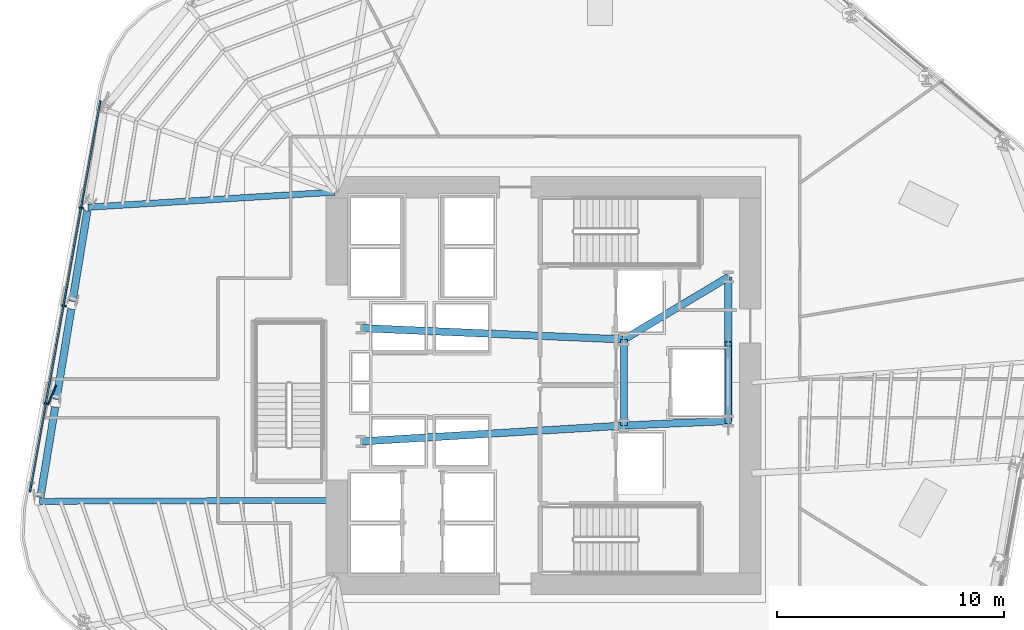
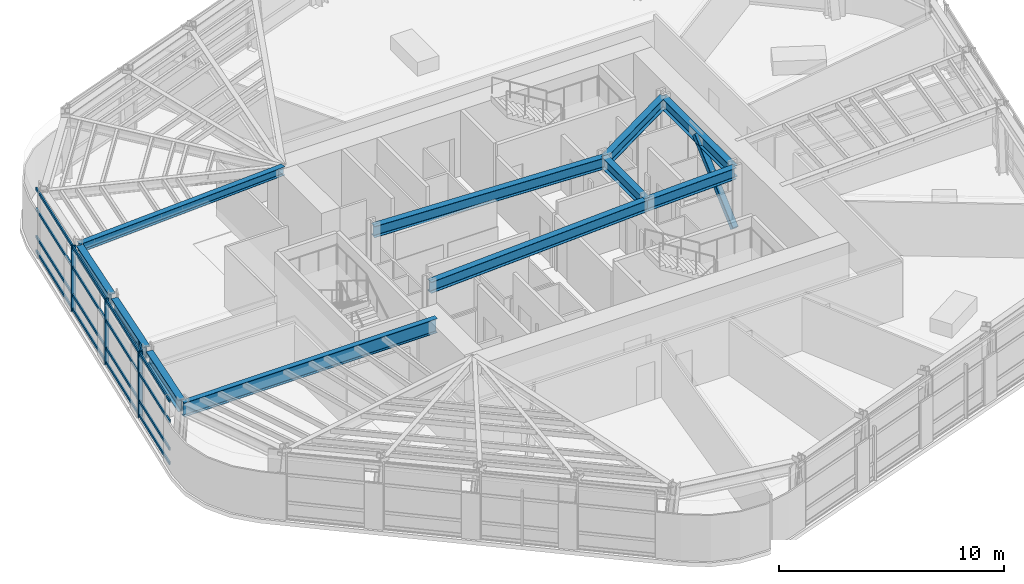
# One storey, part 4 of 18: 11 beams, 9 members, 1 element without a shape of its own.
"""IFC4 building model written with IfcOpenShell, lengths in metres."""

from ifc_helpers import new_model, si_unit, direction, frame, origin, origin_2d, place, context, subcontext, project, spatial, rectangle, hollow_rectangle, i_section, extrude, material, layer, layer_set, material_profile, profile_set, type_object, element, aggregate, save


model = new_model("IFC4")

# Units and contexts
model_context = context("Model", 3, precision=1e-05, world=origin(), true_north=direction((0.0, 1.0)))
body_context = subcontext(model_context, "Body", "Model", "MODEL_VIEW")
ifc_project = project(units=[si_unit("LENGTHUNIT", "METRE"), si_unit("AREAUNIT", "SQUARE_METRE"), si_unit("VOLUMEUNIT", "CUBIC_METRE"), si_unit("PLANEANGLEUNIT", "RADIAN"), si_unit("MASSUNIT", "GRAM", prefix="KILO")], contexts=[model_context])

# Site, building, storey
site_placement = place(None, origin())
site = spatial("IfcSite", under=ifc_project, at=site_placement, CompositionType="ELEMENT")
building_placement = place(site_placement, origin())
building = spatial("IfcBuilding", under=site, at=building_placement, Name="Valkerne Bourse Tower", CompositionType="ELEMENT")
storey_placement = place(building_placement, frame((0.0, 0.0, 108.60009765625)))
storey = spatial("IfcBuildingStorey", under=building, at=storey_placement, Name="L27", CompositionType="ELEMENT", Elevation=108.60009765625)

# Beams
ifc_material_1 = material(Name="Steel ASTM A992", Category="steel")
ifc_material_profile_1 = material_profile(ifc_material_1, i_section(OverallWidth=0.279296875, OverallDepth=0.46240234375, WebThickness=0.0107421875, FlangeThickness=0.017333984375, FilletRadius=0.017822265625, at=origin_2d()), Name="W18X76")
ifc_profile_set_1 = profile_set([ifc_material_profile_1], Name="Steel ASTM A992")
beam_type_1 = type_object("IfcBeamType", Name="BM-W18X76", PredefinedType="BEAM", material=ifc_profile_set_1)
beam_1_placement = place(storey_placement, frame((26.69775390625, 34.733154296875, 3.348876953125), z_axis=(0.998135176989, 0.061042349703, 0.0), x_axis=(-0.061042349703, 0.998135176989, 0.0)))
element("IfcBeam", 1, at=beam_1_placement, inside=storey, type_object=beam_type_1, Name="L27 Radial Composite Floor Beam 11", PredefinedType="BEAM", context=body_context, shape_type="SweptSolid", body=[
    extrude(i_section(OverallWidth=0.279296875, OverallDepth=0.46240234375, WebThickness=0.0107421875, FlangeThickness=0.017333984375, FilletRadius=0.017822265625, at=origin_2d()), origin(), (0.0, 0.0, 1.0), 10.922607421875),
])
ifc_material_profile_2 = material_profile(ifc_material_1, i_section(OverallWidth=0.3251953125, OverallDepth=0.612060546875, WebThickness=0.0126953125, FlangeThickness=0.01904296875, FilletRadius=0.020263671875, at=origin_2d()), Name="W24X104")
ifc_profile_set_2 = profile_set([ifc_material_profile_2], Name="Steel ASTM A992")
beam_type_2 = type_object("IfcBeamType", Name="BM-W24X104", PredefinedType="BEAM", material=ifc_profile_set_2)
beam_2_placement = place(storey_placement, frame((50.35009765625, 25.10009765625, 3.27392578125), z_axis=(0.0, 1.0, 0.0), x_axis=(-1.0, 0.0, 0.0)))
element("IfcBeam", 2, at=beam_2_placement, inside=storey, type_object=beam_type_2, Name="L27 Core Frame Girder CG-CE", PredefinedType="BEAM", context=body_context, shape_type="SweptSolid", body=[
    extrude(i_section(OverallWidth=0.3251953125, OverallDepth=0.612060546875, WebThickness=0.0126953125, FlangeThickness=0.01904296875, FilletRadius=0.020263671875, at=origin_2d()), origin(), (0.0, 0.0, 1.0), 3.7998046875),
])
beam_3_placement = place(storey_placement, frame((50.35009765625, 25.10009765625, 3.27392578125), z_axis=(0.999056558506, 0.043428019819, 0.0), x_axis=(-0.043428019819, 0.999056558506, 0.0)))
element("IfcBeam", 3, at=beam_3_placement, inside=storey, type_object=beam_type_2, Name="L27 Core Frame Girder CG-SE", PredefinedType="BEAM", context=body_context, shape_type="SweptSolid", body=[
    extrude(i_section(OverallWidth=0.3251953125, OverallDepth=0.612060546875, WebThickness=0.0126953125, FlangeThickness=0.01904296875, FilletRadius=0.020263671875, at=origin_2d()), origin(), (0.0, 0.0, 1.0), 4.604248046875),
])
beam_4_placement = place(storey_placement, frame((50.35009765625, 28.89990234375, 3.27392578125), z_axis=(0.858307823492, 0.513135148019, 0.0), x_axis=(-0.513135148019, 0.858307823492, 0.0)))
element("IfcBeam", 4, at=beam_4_placement, inside=storey, type_object=beam_type_2, Name="L27 Core Frame Girder CG-NE", PredefinedType="BEAM", context=body_context, shape_type="SweptSolid", body=[
    extrude(i_section(OverallWidth=0.3251953125, OverallDepth=0.612060546875, WebThickness=0.0126953125, FlangeThickness=0.01904296875, FilletRadius=0.020263671875, at=origin_2d()), origin(), (0.0, 0.0, 1.0), 5.359130859375),
])
beam_5_placement = place(storey_placement, frame((54.949951171875, 25.300048828125, 3.27392578125), z_axis=(0.0, 1.0, 0.0), x_axis=(-1.0, 0.0, 0.0)))
element("IfcBeam", 5, at=beam_5_placement, inside=storey, type_object=beam_type_2, Name="L27 Core Frame Girder CG-EE", PredefinedType="BEAM", context=body_context, shape_type="SweptSolid", body=[
    extrude(i_section(OverallWidth=0.3251953125, OverallDepth=0.612060546875, WebThickness=0.0126953125, FlangeThickness=0.01904296875, FilletRadius=0.020263671875, at=origin_2d()), origin(), (0.0, 0.0, 1.0), 6.349853515625),
])
beam_6_placement = place(storey_placement, frame((38.75, 24.39990234375, 3.27392578125), z_axis=(0.998183228389, 0.060251494276, 0.0), x_axis=(-0.060251494276, 0.998183228389, 0.0)))
element("IfcBeam", 6, at=beam_6_placement, inside=storey, type_object=beam_type_2, Name="L27 Core Frame Girder CG-SW", PredefinedType="BEAM", context=body_context, shape_type="SweptSolid", body=[
    extrude(i_section(OverallWidth=0.3251953125, OverallDepth=0.612060546875, WebThickness=0.0126953125, FlangeThickness=0.01904296875, FilletRadius=0.020263671875, at=origin_2d()), origin(), (0.0, 0.0, 1.0), 11.62109375),
])
beam_7_placement = place(storey_placement, frame((38.75, 29.39990234375, 3.27392578125), z_axis=(0.999072354402, -0.043063101019, 0.0), x_axis=(0.043063101019, 0.999072354402, 0.0)))
element("IfcBeam", 7, at=beam_7_placement, inside=storey, type_object=beam_type_2, Name="L27 Core Frame Girder CG-NW", PredefinedType="BEAM", context=body_context, shape_type="SweptSolid", body=[
    extrude(i_section(OverallWidth=0.3251953125, OverallDepth=0.612060546875, WebThickness=0.0126953125, FlangeThickness=0.01904296875, FilletRadius=0.020263671875, at=origin_2d()), origin(), (0.0, 0.0, 1.0), 11.61083984375),
])
ifc_material_profile_3 = material_profile(ifc_material_1, i_section(OverallWidth=0.330078125, OverallDepth=0.647705078125, WebThickness=0.0205078125, FlangeThickness=0.037109375, FilletRadius=0.020263671875, at=origin_2d()), Name="W24X192")
ifc_profile_set_3 = profile_set([ifc_material_profile_3], Name="Steel ASTM A992")
beam_type_3 = type_object("IfcBeamType", Name="BM-W24X192", PredefinedType="SPANDREL", material=ifc_profile_set_3)
for number, where, z_axis, x_axis, name in (
    (8, (26.67041015625, 34.5654296875, 3.256103515625), (-0.161597638379, -0.986856728847, 0.0), (0.986856728847, -0.161597638379, 0.0), "L27 Hexagonal Spandrel Ring Beam 11"),
    (9, (25.9619140625, 30.239990234375, 3.256103515625), (-0.161597638379, -0.986856728847, 0.0), (0.986856728847, -0.161597638379, 0.0), "L27 Hexagonal Spandrel Ring Beam 12"),
):
    element("IfcBeam", number, at=place(storey_placement, frame(where, z_axis=z_axis, x_axis=x_axis)), inside=storey, type_object=beam_type_3, Name=name, PredefinedType="SPANDREL", context=body_context, shape_type="SweptSolid", body=[
        extrude(i_section(OverallWidth=0.330078125, OverallDepth=0.647705078125, WebThickness=0.0205078125, FlangeThickness=0.037109375, FilletRadius=0.020263671875, at=origin_2d()), origin(), (0.0, 0.0, 1.0), 4.04296875),
    ])
beam_8_placement = place(storey_placement, frame((25.253662109375, 25.914794921875, 3.256103515625), z_axis=(-0.161588008685, -0.986858305659, 0.0), x_axis=(0.986858305659, -0.161588008685, 0.0)))
element("IfcBeam", 10, at=beam_8_placement, inside=storey, type_object=beam_type_3, Name="L27 Hexagonal Spandrel Ring Beam 13", PredefinedType="SPANDREL", context=body_context, shape_type="SweptSolid", body=[
    extrude(i_section(OverallWidth=0.330078125, OverallDepth=0.647705078125, WebThickness=0.0205078125, FlangeThickness=0.037109375, FilletRadius=0.020263671875, at=origin_2d()), origin(), (0.0, 0.0, 1.0), 4.043212890625),
])
ifc_material_profile_4 = material_profile(ifc_material_1, i_section(OverallWidth=0.26806640625, OverallDepth=0.76953125, WebThickness=0.015625, FlangeThickness=0.025390625, FilletRadius=0.025390625, at=origin_2d()), Name="W30X132")
ifc_profile_set_4 = profile_set([ifc_material_profile_4], Name="Steel ASTM A992")
beam_type_4 = type_object("IfcBeamType", Name="BM-W30X132", PredefinedType="BEAM", material=ifc_profile_set_4)
beam_9_placement = place(storey_placement, frame((24.57275390625, 21.757080078125, 3.195068359375), z_axis=(0.999994560485, 0.003298332883, 0.0), x_axis=(-0.003298332883, 0.999994560485, 0.0)))
element("IfcBeam", 11, at=beam_9_placement, inside=storey, type_object=beam_type_4, Name="L27 Radial Composite Floor Beam 14", PredefinedType="BEAM", context=body_context, shape_type="SweptSolid", body=[
    extrude(i_section(OverallWidth=0.26806640625, OverallDepth=0.76953125, WebThickness=0.015625, FlangeThickness=0.025390625, FilletRadius=0.025390625, at=origin_2d()), origin(), (0.0, 0.0, 1.0), 13.02734375),
])

# Curtain wall, members
ifc_material_2 = material(Name="Aluminium AA 6063-T6", Category="aluminium")
ifc_layer = layer(ifc_material_2, 0.22998046875)
ifc_layer_set = layer_set([ifc_layer], Name="Aluminium AA 6063-T6")
curtain_wall_type = type_object("IfcCurtainWallType", Name="CW-02", PredefinedType="NOTDEFINED", material=ifc_layer_set)
curtain_wall_placement = place(storey_placement, origin())
curtain_wall = element("IfcCurtainWall", 12, at=curtain_wall_placement, inside=storey, type_object=curtain_wall_type, Name="L27 Hexagonal Stick Curtain Wall Face 3", PredefinedType="NOTDEFINED")
ifc_material_profile_5 = material_profile(ifc_material_2, rectangle(XDim=0.074951171875, YDim=0.199951171875, at=origin_2d()), Name="CWM-75X200")
ifc_profile_set_5 = profile_set([ifc_material_profile_5], Name="Aluminium AA 6063-T6")
member_type_1 = type_object("IfcMemberType", Name="CW-MUL-220X75", PredefinedType="MULLION", material=ifc_profile_set_5)
member_1_placement = place(storey_placement, frame((26.41259765625, 34.69482421875, 0.0), z_axis=(0.0, 0.0, 1.0), x_axis=(-0.177072113159, -0.98419787987, 0.0)))
member_1 = element("IfcMember", 13, at=member_1_placement, type_object=member_type_1, Name="CW-L27-F3 Jamb Mullion 01A", PredefinedType="MULLION", context=body_context, shape_type="SweptSolid", body=[
    extrude(rectangle(XDim=0.074951171875, YDim=0.199951171875, at=origin_2d()), origin(), (0.0, 0.0, 1.0), 3.579833984375),
])
member_2_placement = place(storey_placement, frame((25.63671875, 30.381103515625, 0.0), z_axis=(0.0, 0.0, 1.0), x_axis=(-0.177094213282, -0.984193903467, 0.0)))
member_2 = element("IfcMember", 14, at=member_2_placement, type_object=member_type_1, Name="CW-L27-F3 Jamb Mullion 02A", PredefinedType="MULLION", context=body_context, shape_type="SweptSolid", body=[
    extrude(rectangle(XDim=0.074951171875, YDim=0.199951171875, at=origin_2d()), origin(), (0.0, 0.0, 1.0), 3.579833984375),
])
member_3_placement = place(storey_placement, frame((24.8603515625, 26.0673828125, 0.0), z_axis=(0.0, 0.0, 1.0), x_axis=(-0.177094213282, -0.984193903467, 0.0)))
member_3 = element("IfcMember", 15, at=member_3_placement, type_object=member_type_1, Name="CW-L27-F3 Jamb Mullion 03A", PredefinedType="MULLION", context=body_context, shape_type="SweptSolid", body=[
    extrude(rectangle(XDim=0.074951171875, YDim=0.199951171875, at=origin_2d()), origin(), (0.0, 0.0, 1.0), 3.579833984375),
])
ifc_material_profile_6 = material_profile(ifc_material_2, rectangle(XDim=0.074951171875, YDim=0.14990234375, at=origin_2d()), Name="CWT-75X150")
ifc_profile_set_6 = profile_set([ifc_material_profile_6], Name="Aluminium AA 6063-T6")
member_type_2 = type_object("IfcMemberType", Name="CW-TRN-180X65", PredefinedType="USERDEFINED", material=ifc_profile_set_6)
member_4_placement = place(storey_placement, frame((27.24365234375, 39.425537109375, 0.119873046875), z_axis=(-0.177089872149, -0.984194684594, 0.0), x_axis=(0.984194684594, -0.177089872149, 0.0)))
member_4 = element("IfcMember", 16, at=member_4_placement, type_object=member_type_2, Name="CW-L27-F3 Continuous Face Transom 1", ObjectType="TRANSOM", PredefinedType="USERDEFINED", context=body_context, shape_type="SweptSolid", body=[
    extrude(rectangle(XDim=0.074951171875, YDim=0.14990234375, at=origin_2d()), origin(), (0.0, 0.0, 1.0), 17.531982421875),
])
member_5_placement = place(storey_placement, frame((27.24365234375, 39.425537109375, 0.89990234375), z_axis=(-0.177089872149, -0.984194684594, 0.0), x_axis=(0.984194684594, -0.177089872149, 0.0)))
member_5 = element("IfcMember", 17, at=member_5_placement, type_object=member_type_2, Name="CW-L27-F3 Continuous Face Transom 2", ObjectType="TRANSOM", PredefinedType="USERDEFINED", context=body_context, shape_type="SweptSolid", body=[
    extrude(rectangle(XDim=0.074951171875, YDim=0.14990234375, at=origin_2d()), origin(), (0.0, 0.0, 1.0), 17.531982421875),
])
member_6_placement = place(storey_placement, frame((27.24365234375, 39.425537109375, 2.39990234375), z_axis=(-0.177089872149, -0.984194684594, 0.0), x_axis=(0.984194684594, -0.177089872149, 0.0)))
member_6 = element("IfcMember", 18, at=member_6_placement, type_object=member_type_2, Name="CW-L27-F3 Continuous Face Transom 3", ObjectType="TRANSOM", PredefinedType="USERDEFINED", context=body_context, shape_type="SweptSolid", body=[
    extrude(rectangle(XDim=0.074951171875, YDim=0.14990234375, at=origin_2d()), origin(), (0.0, 0.0, 1.0), 17.531982421875),
])
member_7_placement = place(storey_placement, frame((27.24365234375, 39.425537109375, 3.5), z_axis=(-0.177089872149, -0.984194684594, 0.0), x_axis=(0.984194684594, -0.177089872149, 0.0)))
member_7 = element("IfcMember", 19, at=member_7_placement, type_object=member_type_2, Name="CW-L27-F3 Continuous Face Transom 4", ObjectType="TRANSOM", PredefinedType="USERDEFINED", context=body_context, shape_type="SweptSolid", body=[
    extrude(rectangle(XDim=0.074951171875, YDim=0.14990234375, at=origin_2d()), origin(), (0.0, 0.0, 1.0), 17.531982421875),
])
aggregate(curtain_wall, [member_4, member_5, member_6, member_7, member_1, member_2, member_3])

# Members
ifc_material_3 = material(Name="Bronze Anodised Aluminium AA 6063-T6", Category="aluminium")
ifc_material_profile_7 = material_profile(ifc_material_3, rectangle(XDim=0.070068359375, YDim=0.89990234375, at=origin_2d()), Name="FIN-70X900")
ifc_profile_set_7 = profile_set([ifc_material_profile_7], Name="Bronze Anodised Aluminium AA 6063-T6")
member_type_3 = type_object("IfcMemberType", Name="FIN-SOLAR-900", PredefinedType="USERDEFINED", material=ifc_profile_set_7)
member_8_placement = place(storey_placement, frame((25.11181640625, 26.448974609375, 0.00390625), z_axis=(0.0, 0.0, 1.0), x_axis=(-0.925288130828, 0.379264913945, 0.0)))
element("IfcMember", 20, at=member_8_placement, inside=storey, type_object=member_type_3, Name="L27 Bronze Anodised Solar Fin F3-03", ObjectType="SOLAR_FIN", PredefinedType="USERDEFINED", context=body_context, shape_type="SweptSolid", body=[
    extrude(rectangle(XDim=0.070068359375, YDim=0.89990234375, at=origin_2d()), origin(), (0.0, 0.0, 1.0), 3.572021484375),
])
ifc_material_4 = material(Name="Steel ASTM A500 Grade C", Category="steel")
ifc_material_profile_8 = material_profile(ifc_material_4, hollow_rectangle(XDim=0.300048828125, YDim=0.300048828125, WallThickness=0.012451171875, OuterFilletRadius=0.02490234375, at=origin_2d()), Name="HSS300X300X12.5")
ifc_profile_set_8 = profile_set([ifc_material_profile_8], Name="Steel ASTM A500 Grade C")
member_type_4 = type_object("IfcMemberType", Name="MBR-HSS300X300X12.5", PredefinedType="STRUT", material=ifc_profile_set_8)
member_9_placement = place(storey_placement, frame((54.949951171875, 25.300048828125, 0.219970703125), z_axis=(0.0, 0.743941933778, 0.668244266094), x_axis=(-1.0, 0.0, 0.0)))
element("IfcMember", 21, at=member_9_placement, inside=storey, type_object=member_type_4, Name="L27 Core Service Pier Lateral Brace", PredefinedType="STRUT", context=body_context, shape_type="SweptSolid", body=[
    extrude(hollow_rectangle(XDim=0.300048828125, YDim=0.300048828125, WallThickness=0.012451171875, OuterFilletRadius=0.02490234375, at=origin_2d()), origin(), (0.0, 0.0, 1.0), 4.570068359375),
])

save(model, "model.ifc")
